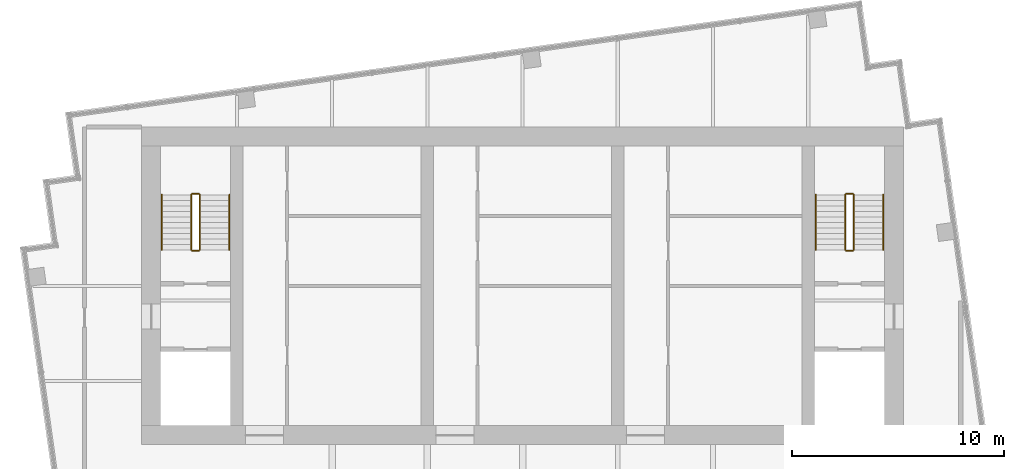
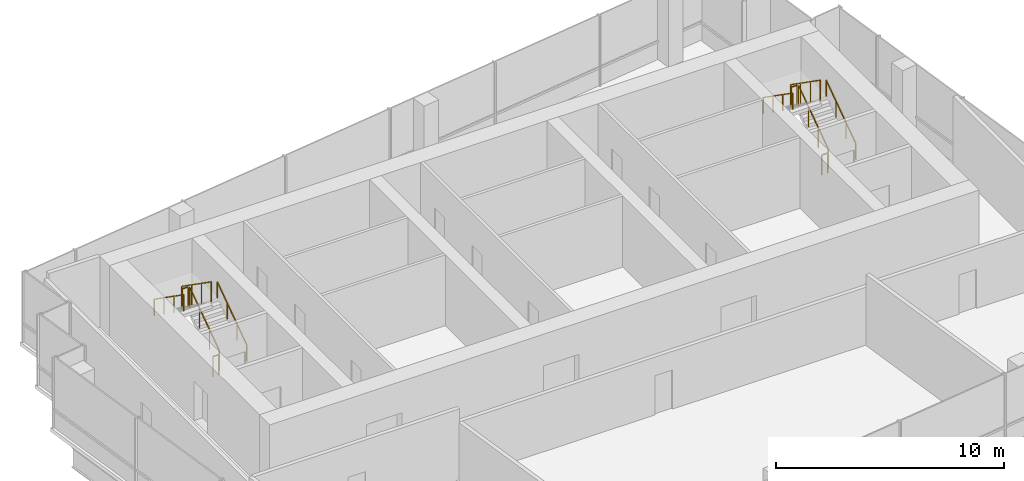
# One storey, part 9 of 9: 12 railings.
"""IFC4 building model written with IfcOpenShell, lengths in metres."""

import ifcopenshell
import ifcopenshell.guid

model = None  # the IFC model being written
_history = None  # IfcOwnerHistory: only IFC2X3 demands one
_inside = {}  # id of a spatial element -> (the spatial element, [elements in it])
_under = {}  # id of a project, library or spatial element -> (it, [spatial elements below it])
_declared = {}  # id of a project -> (the project, [libraries it declares])
_typed = {}  # id of a type object -> (the type object, [elements of that type])
_made_of = {}  # id of a material, layer set ... -> (it, [elements and type objects made of it])


def new_model(schema):
    """Start an empty IFC model of exactly this schema.

    Asked for "IFC4X3", IfcOpenShell would pick the latest addendum, in which some entities
    have other attributes; the version numbers below select the first issue.
    IFC2X3 requires an IfcOwnerHistory on every rooted entity: one is made here for all.
    """
    global model, _history
    if schema == "IFC4X3":
        model = ifcopenshell.file(schema_version=(4, 3, 0, 0))
    else:
        model = ifcopenshell.file(schema=schema)
    _inside.clear()
    _under.clear()
    _declared.clear()
    _typed.clear()
    _made_of.clear()
    _history = None
    if model.schema == "IFC2X3":
        org = make("IfcOrganization", Name="unknown")
        user = make(
            "IfcPersonAndOrganization",
            ThePerson=make("IfcPerson", FamilyName="unknown"),
            TheOrganization=org,
        )
        app = make(
            "IfcApplication",
            ApplicationDeveloper=org,
            Version="unknown",
            ApplicationFullName="unknown",
            ApplicationIdentifier="unknown",
        )
        _history = make(
            "IfcOwnerHistory",
            OwningUser=user,
            OwningApplication=app,
            ChangeAction="ADDED",
            CreationDate=0,
        )
    return model


def make(cls, **values):
    """One entity of the class cls with the attributes given. An attribute that is None is left unset."""
    return model.create_entity(
        cls, **{name: value for name, value in values.items() if value is not None}
    )


def rooted(cls, **values):
    """An entity with a GlobalId (a new one), such as an element, a storey or a relation."""
    return make(cls, GlobalId=ifcopenshell.guid.new(), OwnerHistory=_history, **values)


def si_unit(unit_type, name, prefix=None):
    """IfcSIUnit, for example si_unit("LENGTHUNIT", "METRE", prefix="MILLI")."""
    return make("IfcSIUnit", UnitType=unit_type, Prefix=prefix, Name=name)


def assignment(units):
    """IfcUnitAssignment: the units of a project."""
    return None if units is None else make("IfcUnitAssignment", Units=units)


def point(xyz):
    """IfcCartesianPoint."""
    return None if xyz is None else make("IfcCartesianPoint", Coordinates=xyz)


def direction(xyz):
    """IfcDirection."""
    return None if xyz is None else make("IfcDirection", DirectionRatios=xyz)


def frame(location, z_axis=None, x_axis=None):
    """IfcAxis2Placement3D, a coordinate frame: its origin and axes. An axis left out is left unset."""
    return make(
        "IfcAxis2Placement3D",
        Location=point(location),
        Axis=direction(z_axis),
        RefDirection=direction(x_axis),
    )


def frame_2d(location, x_axis=None):
    """IfcAxis2Placement2D, a coordinate frame in the plane: its origin and x axis."""
    return make(
        "IfcAxis2Placement2D", Location=point(location), RefDirection=direction(x_axis)
    )


def origin():
    """The frame at (0, 0, 0) with its axes left unset."""
    return frame((0.0, 0.0, 0.0))


def origin_2d():
    """The frame at (0, 0) in the plane with its x axis left unset."""
    return frame_2d((0.0, 0.0))


def place(relative_to, where):
    """IfcLocalPlacement: puts the frame where relative to a parent placement (None: the world)."""
    return make(
        "IfcLocalPlacement", PlacementRelTo=relative_to, RelativePlacement=where
    )


def context(
    kind, dimensions, precision=None, world=None, true_north=None, identifier=None
):
    """IfcGeometricRepresentationContext, for example the 3D "Model" context."""
    return make(
        "IfcGeometricRepresentationContext",
        ContextIdentifier=identifier,
        ContextType=kind,
        CoordinateSpaceDimension=dimensions,
        Precision=precision,
        WorldCoordinateSystem=world,
        TrueNorth=true_north,
    )


def subcontext(parent, identifier, kind, view, scale=None):
    """IfcGeometricRepresentationSubContext, for example "Body" below "Model"."""
    return make(
        "IfcGeometricRepresentationSubContext",
        ContextIdentifier=identifier,
        ContextType=kind,
        ParentContext=parent,
        TargetScale=scale,
        TargetView=view,
    )


def project(units=None, contexts=None):
    """IfcProject with its units and contexts."""
    return rooted(
        "IfcProject",
        Name="project",
        RepresentationContexts=contexts,
        UnitsInContext=assignment(units),
    )


def spatial(cls, under=None, at=None, **own):
    """A site, building, storey or space (cls), placed at a placement, below another one or the project."""
    s = rooted(cls, ObjectPlacement=at, **own)
    if under is not None:
        _under.setdefault(under.id(), (under, []))[1].append(s)
    return s


def profile(cls, at=None, kind="AREA", **sizes):
    """A parametric profile (cls). Its sizes go by their IFC names, for example OverallWidth=200.0."""
    return make(cls, ProfileType=kind, Position=at, **sizes)


def rectangle(**sizes):
    """IfcRectangleProfileDef."""
    return profile("IfcRectangleProfileDef", **sizes)


def extrude(swept, where, along, depth):
    """IfcExtrudedAreaSolid: the profile swept, set in the frame where, extruded along a direction by depth."""
    return make(
        "IfcExtrudedAreaSolid",
        SweptArea=swept,
        Position=where,
        ExtrudedDirection=direction(along),
        Depth=depth,
    )


def shape(context_of_items, identifier, shape_type, items):
    """IfcShapeRepresentation: the items that make up one representation, for example the "Body"."""
    return make(
        "IfcShapeRepresentation",
        ContextOfItems=context_of_items,
        RepresentationIdentifier=identifier,
        RepresentationType=shape_type,
        Items=items,
    )


def material(Name=None, Category=None):
    """IfcMaterial."""
    return make("IfcMaterial", Name=Name, Category=Category)


def made_of(thing, what):
    """Note that an element or type object is made of a material, layer set ...; save() writes the relation."""
    if what is not None:
        _made_of.setdefault(what.id(), (what, []))[1].append(thing)
    return thing


def type_object(cls, material=None, **own):
    """A type object (cls), such as IfcWallType, which elements share."""
    return made_of(rooted(cls, **own), material)


def element(
    cls,
    number,
    at=None,
    inside=None,
    cuts=None,
    type_object=None,
    material=None,
    context=None,
    identifier="Body",
    shape_type=None,
    held_by="IfcProductDefinitionShape",
    body=None,
    shapes=None,
    **own,
):
    """One element of the class cls, such as IfcWall. Its Tag is "e" and its number.

    at: its placement. inside: the storey or other place that contains it. cuts: it is an
    opening in that element (IfcRelVoidsElement). A single representation is given by context,
    identifier, shape_type and body (its items); several are given by shapes. held_by: the class
    of the entity that holds the representations. save() writes the other relations.
    """
    e = rooted(cls, Tag="e%d" % number, ObjectPlacement=at, **own)
    if body is not None:
        shapes = [shape(context, identifier, shape_type, body)]
    if shapes is not None:
        e.Representation = make(held_by, Representations=shapes)
    if inside is not None:
        _inside.setdefault(inside.id(), (inside, []))[1].append(e)
    if cuts is not None:
        rooted(
            "IfcRelVoidsElement", RelatingBuildingElement=cuts, RelatedOpeningElement=e
        )
    if type_object is not None:
        _typed.setdefault(type_object.id(), (type_object, []))[1].append(e)
    return made_of(e, material)


def aggregate(whole, parts):
    """IfcRelAggregates: a whole, such as a stair, and the parts it consists of."""
    return rooted("IfcRelAggregates", RelatingObject=whole, RelatedObjects=parts)


def save(model, path):
    """Write the relations noted so far, then the file.

    IfcRelAggregates (storeys below a building ...), IfcRelContainedInSpatialStructure (elements
    in a storey), IfcRelDefinesByType, IfcRelAssociatesMaterial and IfcRelDeclares: one each for
    every whole, place, type object, material and project.
    """
    for whole, parts in _under.values():
        aggregate(whole, parts)
    for where, things in _inside.values():
        rooted(
            "IfcRelContainedInSpatialStructure",
            RelatedElements=things,
            RelatingStructure=where,
        )
    for kind, things in _typed.values():
        rooted("IfcRelDefinesByType", RelatedObjects=things, RelatingType=kind)
    for what, things in _made_of.values():
        rooted("IfcRelAssociatesMaterial", RelatedObjects=things, RelatingMaterial=what)
    for by, libraries in _declared.values():
        rooted("IfcRelDeclares", RelatingContext=by, RelatedDefinitions=libraries)
    model.write(path)


model = new_model("IFC4")

# Units and contexts
model_context = context("Model", 3, precision=1e-05, world=origin(), true_north=direction((0.0, 1.0)))
body_context = subcontext(model_context, "Body", "Model", "MODEL_VIEW")
ifc_project = project(units=[si_unit("LENGTHUNIT", "METRE"), si_unit("AREAUNIT", "SQUARE_METRE"), si_unit("VOLUMEUNIT", "CUBIC_METRE"), si_unit("PLANEANGLEUNIT", "RADIAN"), si_unit("MASSUNIT", "GRAM", prefix="KILO")], contexts=[model_context])

# Site, building, storey
site_placement = place(None, origin())
site = spatial("IfcSite", under=ifc_project, at=site_placement, CompositionType="ELEMENT")
building_placement = place(site_placement, origin())
building = spatial("IfcBuilding", under=site, at=building_placement, Name="Rattan Terrace Tower", CompositionType="ELEMENT")
storey_placement = place(building_placement, frame((0.0, 0.0, 304.300048828125)))
storey = spatial("IfcBuildingStorey", under=building, at=storey_placement, Name="C04", CompositionType="ELEMENT", Elevation=304.300048828125)

# Railings
ifc_material_1 = material(Name="Powder-coated steel guard", Category="steel")
railing_type_1 = type_object("IfcRailingType", Name="Core stair guard", PredefinedType="GUARDRAIL", material=ifc_material_1)
railing_1_placement = place(storey_placement, frame((-15.25, 1.699951171875, 0.181884765625)))
element("IfcRailing", 1, at=railing_1_placement, inside=storey, type_object=railing_type_1, Name="C04 S1 stair guard 1", PredefinedType="GUARDRAIL", context=body_context, shape_type="SweptSolid", body=[
    extrude(rectangle(XDim=0.048095703125, YDim=0.048095703125, at=origin_2d()), frame((0.0, 0.0, 1.076171875), z_axis=(0.0, 0.819521025635, 0.573049115296), x_axis=(-1.0, 0.0, 0.0)), (0.0, 0.0, 1.0), 3.172607421875),
    extrude(rectangle(XDim=0.0419921875, YDim=0.0419921875, at=origin_2d()), origin(), (0.0, 0.0, 1.0), 1.052001953125),
    extrude(rectangle(XDim=0.0419921875, YDim=0.0419921875, at=origin_2d()), frame((0.0, 0.86669921875, 0.60595703125)), (0.0, 0.0, 1.0), 1.052001953125),
    extrude(rectangle(XDim=0.0419921875, YDim=0.0419921875, at=origin_2d()), frame((0.0, 1.7333984375, 1.212158203125)), (0.0, 0.0, 1.0), 1.052001953125),
    extrude(rectangle(XDim=0.0419921875, YDim=0.0419921875, at=origin_2d()), frame((0.0, 2.60009765625, 1.818115234375)), (0.0, 0.0, 1.0), 1.052001953125),
])
railing_2_placement = place(storey_placement, frame((-15.300048828125, 4.35009765625, 2.0)))
element("IfcRailing", 2, at=railing_2_placement, inside=storey, type_object=railing_type_1, Name="C04 S1 stair guard 2", PredefinedType="GUARDRAIL", context=body_context, shape_type="SweptSolid", body=[
    extrude(rectangle(XDim=0.048095703125, YDim=0.048095703125, at=origin_2d()), frame((0.0, 0.0, 1.076171875), z_axis=(-1.0, 0.0, 0.0), x_axis=(0.0, -1.0, 0.0)), (0.0, 0.0, 1.0), 0.300048828125),
    extrude(rectangle(XDim=0.0419921875, YDim=0.0419921875, at=origin_2d()), origin(), (0.0, 0.0, 1.0), 1.052001953125),
    extrude(rectangle(XDim=0.0419921875, YDim=0.0419921875, at=origin_2d()), frame((-0.300048828125, 0.0, 0.0)), (0.0, 0.0, 1.0), 1.052001953125),
])
railing_3_placement = place(storey_placement, frame((-15.64990234375, 4.300048828125, 2.181884765625)))
element("IfcRailing", 3, at=railing_3_placement, inside=storey, type_object=railing_type_1, Name="C04 S1 stair guard 3", PredefinedType="GUARDRAIL", context=body_context, shape_type="SweptSolid", body=[
    extrude(rectangle(XDim=0.048095703125, YDim=0.048095703125, at=origin_2d()), frame((0.0, 0.0, 1.076171875), z_axis=(0.0, -0.819521025635, 0.573049115296), x_axis=(1.0, 0.0, 0.0)), (0.0, 0.0, 1.0), 3.172607421875),
    extrude(rectangle(XDim=0.0419921875, YDim=0.0419921875, at=origin_2d()), origin(), (0.0, 0.0, 1.0), 1.052001953125),
    extrude(rectangle(XDim=0.0419921875, YDim=0.0419921875, at=origin_2d()), frame((0.0, -0.86669921875, 0.60595703125)), (0.0, 0.0, 1.0), 1.052001953125),
    extrude(rectangle(XDim=0.0419921875, YDim=0.0419921875, at=origin_2d()), frame((0.0, -1.7333984375, 1.212158203125)), (0.0, 0.0, 1.0), 1.052001953125),
    extrude(rectangle(XDim=0.0419921875, YDim=0.0419921875, at=origin_2d()), frame((0.0, -2.60009765625, 1.818115234375)), (0.0, 0.0, 1.0), 1.052001953125),
])
railing_4_placement = place(storey_placement, frame((-15.300048828125, 1.64990234375, 0.0)))
element("IfcRailing", 4, at=railing_4_placement, inside=storey, type_object=railing_type_1, Name="C04 S1 stair guard 4", PredefinedType="GUARDRAIL", context=body_context, shape_type="SweptSolid", body=[
    extrude(rectangle(XDim=0.048095703125, YDim=0.048095703125, at=origin_2d()), frame((0.0, 0.0, 1.076171875), z_axis=(-1.0, 0.0, 0.0), x_axis=(0.0, -1.0, 0.0)), (0.0, 0.0, 1.0), 0.300048828125),
    extrude(rectangle(XDim=0.0419921875, YDim=0.0419921875, at=origin_2d()), origin(), (0.0, 0.0, 1.0), 1.052001953125),
    extrude(rectangle(XDim=0.0419921875, YDim=0.0419921875, at=origin_2d()), frame((-0.300048828125, 0.0, 0.0)), (0.0, 0.0, 1.0), 1.052001953125),
])
railing_5_placement = place(storey_placement, frame((15.64990234375, 1.699951171875, 0.181884765625)))
element("IfcRailing", 5, at=railing_5_placement, inside=storey, type_object=railing_type_1, Name="C04 S2 stair guard 1", PredefinedType="GUARDRAIL", context=body_context, shape_type="SweptSolid", body=[
    extrude(rectangle(XDim=0.048095703125, YDim=0.048095703125, at=origin_2d()), frame((0.0, 0.0, 1.076171875), z_axis=(0.0, 0.819521025635, 0.573049115296), x_axis=(-1.0, 0.0, 0.0)), (0.0, 0.0, 1.0), 3.172607421875),
    extrude(rectangle(XDim=0.0419921875, YDim=0.0419921875, at=origin_2d()), origin(), (0.0, 0.0, 1.0), 1.052001953125),
    extrude(rectangle(XDim=0.0419921875, YDim=0.0419921875, at=origin_2d()), frame((0.0, 0.86669921875, 0.60595703125)), (0.0, 0.0, 1.0), 1.052001953125),
    extrude(rectangle(XDim=0.0419921875, YDim=0.0419921875, at=origin_2d()), frame((0.0, 1.7333984375, 1.212158203125)), (0.0, 0.0, 1.0), 1.052001953125),
    extrude(rectangle(XDim=0.0419921875, YDim=0.0419921875, at=origin_2d()), frame((0.0, 2.60009765625, 1.818115234375)), (0.0, 0.0, 1.0), 1.052001953125),
])
railing_6_placement = place(storey_placement, frame((15.60009765625, 4.35009765625, 2.0)))
element("IfcRailing", 6, at=railing_6_placement, inside=storey, type_object=railing_type_1, Name="C04 S2 stair guard 2", PredefinedType="GUARDRAIL", context=body_context, shape_type="SweptSolid", body=[
    extrude(rectangle(XDim=0.048095703125, YDim=0.048095703125, at=origin_2d()), frame((0.0, 0.0, 1.076171875), z_axis=(-1.0, 0.0, 0.0), x_axis=(0.0, -1.0, 0.0)), (0.0, 0.0, 1.0), 0.300048828125),
    extrude(rectangle(XDim=0.0419921875, YDim=0.0419921875, at=origin_2d()), origin(), (0.0, 0.0, 1.0), 1.052001953125),
    extrude(rectangle(XDim=0.0419921875, YDim=0.0419921875, at=origin_2d()), frame((-0.300048828125, 0.0, 0.0)), (0.0, 0.0, 1.0), 1.052001953125),
])
railing_7_placement = place(storey_placement, frame((15.25, 4.300048828125, 2.181884765625)))
element("IfcRailing", 7, at=railing_7_placement, inside=storey, type_object=railing_type_1, Name="C04 S2 stair guard 3", PredefinedType="GUARDRAIL", context=body_context, shape_type="SweptSolid", body=[
    extrude(rectangle(XDim=0.048095703125, YDim=0.048095703125, at=origin_2d()), frame((0.0, 0.0, 1.076171875), z_axis=(0.0, -0.819521025635, 0.573049115296), x_axis=(1.0, 0.0, 0.0)), (0.0, 0.0, 1.0), 3.172607421875),
    extrude(rectangle(XDim=0.0419921875, YDim=0.0419921875, at=origin_2d()), origin(), (0.0, 0.0, 1.0), 1.052001953125),
    extrude(rectangle(XDim=0.0419921875, YDim=0.0419921875, at=origin_2d()), frame((0.0, -0.86669921875, 0.60595703125)), (0.0, 0.0, 1.0), 1.052001953125),
    extrude(rectangle(XDim=0.0419921875, YDim=0.0419921875, at=origin_2d()), frame((0.0, -1.7333984375, 1.212158203125)), (0.0, 0.0, 1.0), 1.052001953125),
    extrude(rectangle(XDim=0.0419921875, YDim=0.0419921875, at=origin_2d()), frame((0.0, -2.60009765625, 1.818115234375)), (0.0, 0.0, 1.0), 1.052001953125),
])
railing_8_placement = place(storey_placement, frame((15.60009765625, 1.64990234375, 0.0)))
element("IfcRailing", 8, at=railing_8_placement, inside=storey, type_object=railing_type_1, Name="C04 S2 stair guard 4", PredefinedType="GUARDRAIL", context=body_context, shape_type="SweptSolid", body=[
    extrude(rectangle(XDim=0.048095703125, YDim=0.048095703125, at=origin_2d()), frame((0.0, 0.0, 1.076171875), z_axis=(-1.0, 0.0, 0.0), x_axis=(0.0, -1.0, 0.0)), (0.0, 0.0, 1.0), 0.300048828125),
    extrude(rectangle(XDim=0.0419921875, YDim=0.0419921875, at=origin_2d()), origin(), (0.0, 0.0, 1.0), 1.052001953125),
    extrude(rectangle(XDim=0.0419921875, YDim=0.0419921875, at=origin_2d()), frame((-0.300048828125, 0.0, 0.0)), (0.0, 0.0, 1.0), 1.052001953125),
])
ifc_material_2 = material(Name="Powder-coated steel handrail", Category="steel")
railing_type_2 = type_object("IfcRailingType", Name="Core stair handrail", PredefinedType="HANDRAIL", material=ifc_material_2)
railing_9_placement = place(storey_placement, frame((-13.85009765625, 1.699951171875, 0.181884765625)))
element("IfcRailing", 9, at=railing_9_placement, inside=storey, type_object=railing_type_2, Name="C04 S1 stair handrail 1", PredefinedType="HANDRAIL", context=body_context, shape_type="SweptSolid", body=[
    extrude(rectangle(XDim=0.048095703125, YDim=0.048095703125, at=origin_2d()), frame((0.0, 0.0, 0.8759765625), z_axis=(0.0, 0.819521025635, 0.573049115296), x_axis=(-1.0, 0.0, 0.0)), (0.0, 0.0, 1.0), 3.172607421875),
    extrude(rectangle(XDim=0.0419921875, YDim=0.0419921875, at=origin_2d()), origin(), (0.0, 0.0, 1.0), 0.851806640625),
    extrude(rectangle(XDim=0.0419921875, YDim=0.0419921875, at=origin_2d()), frame((0.0, 0.86669921875, 0.60595703125)), (0.0, 0.0, 1.0), 0.851806640625),
    extrude(rectangle(XDim=0.0419921875, YDim=0.0419921875, at=origin_2d()), frame((0.0, 1.7333984375, 1.212158203125)), (0.0, 0.0, 1.0), 0.851806640625),
    extrude(rectangle(XDim=0.0419921875, YDim=0.0419921875, at=origin_2d()), frame((0.0, 2.60009765625, 1.818115234375)), (0.0, 0.0, 1.0), 0.851806640625),
])
railing_10_placement = place(storey_placement, frame((-17.050048828125, 4.300048828125, 2.181884765625)))
element("IfcRailing", 10, at=railing_10_placement, inside=storey, type_object=railing_type_2, Name="C04 S1 stair handrail 2", PredefinedType="HANDRAIL", context=body_context, shape_type="SweptSolid", body=[
    extrude(rectangle(XDim=0.048095703125, YDim=0.048095703125, at=origin_2d()), frame((0.0, 0.0, 0.8759765625), z_axis=(0.0, -0.819521025635, 0.573049115296), x_axis=(1.0, 0.0, 0.0)), (0.0, 0.0, 1.0), 3.172607421875),
    extrude(rectangle(XDim=0.0419921875, YDim=0.0419921875, at=origin_2d()), origin(), (0.0, 0.0, 1.0), 0.851806640625),
    extrude(rectangle(XDim=0.0419921875, YDim=0.0419921875, at=origin_2d()), frame((0.0, -0.86669921875, 0.60595703125)), (0.0, 0.0, 1.0), 0.851806640625),
    extrude(rectangle(XDim=0.0419921875, YDim=0.0419921875, at=origin_2d()), frame((0.0, -1.7333984375, 1.212158203125)), (0.0, 0.0, 1.0), 0.851806640625),
    extrude(rectangle(XDim=0.0419921875, YDim=0.0419921875, at=origin_2d()), frame((0.0, -2.60009765625, 1.818115234375)), (0.0, 0.0, 1.0), 0.851806640625),
])
railing_11_placement = place(storey_placement, frame((17.050048828125, 1.699951171875, 0.181884765625)))
element("IfcRailing", 11, at=railing_11_placement, inside=storey, type_object=railing_type_2, Name="C04 S2 stair handrail 1", PredefinedType="HANDRAIL", context=body_context, shape_type="SweptSolid", body=[
    extrude(rectangle(XDim=0.048095703125, YDim=0.048095703125, at=origin_2d()), frame((0.0, 0.0, 0.8759765625), z_axis=(0.0, 0.819521025635, 0.573049115296), x_axis=(-1.0, 0.0, 0.0)), (0.0, 0.0, 1.0), 3.172607421875),
    extrude(rectangle(XDim=0.0419921875, YDim=0.0419921875, at=origin_2d()), origin(), (0.0, 0.0, 1.0), 0.851806640625),
    extrude(rectangle(XDim=0.0419921875, YDim=0.0419921875, at=origin_2d()), frame((0.0, 0.86669921875, 0.60595703125)), (0.0, 0.0, 1.0), 0.851806640625),
    extrude(rectangle(XDim=0.0419921875, YDim=0.0419921875, at=origin_2d()), frame((0.0, 1.7333984375, 1.212158203125)), (0.0, 0.0, 1.0), 0.851806640625),
    extrude(rectangle(XDim=0.0419921875, YDim=0.0419921875, at=origin_2d()), frame((0.0, 2.60009765625, 1.818115234375)), (0.0, 0.0, 1.0), 0.851806640625),
])
railing_12_placement = place(storey_placement, frame((13.85009765625, 4.300048828125, 2.181884765625)))
element("IfcRailing", 12, at=railing_12_placement, inside=storey, type_object=railing_type_2, Name="C04 S2 stair handrail 2", PredefinedType="HANDRAIL", context=body_context, shape_type="SweptSolid", body=[
    extrude(rectangle(XDim=0.048095703125, YDim=0.048095703125, at=origin_2d()), frame((0.0, 0.0, 0.8759765625), z_axis=(0.0, -0.819521025635, 0.573049115296), x_axis=(1.0, 0.0, 0.0)), (0.0, 0.0, 1.0), 3.172607421875),
    extrude(rectangle(XDim=0.0419921875, YDim=0.0419921875, at=origin_2d()), origin(), (0.0, 0.0, 1.0), 0.851806640625),
    extrude(rectangle(XDim=0.0419921875, YDim=0.0419921875, at=origin_2d()), frame((0.0, -0.86669921875, 0.60595703125)), (0.0, 0.0, 1.0), 0.851806640625),
    extrude(rectangle(XDim=0.0419921875, YDim=0.0419921875, at=origin_2d()), frame((0.0, -1.7333984375, 1.212158203125)), (0.0, 0.0, 1.0), 0.851806640625),
    extrude(rectangle(XDim=0.0419921875, YDim=0.0419921875, at=origin_2d()), frame((0.0, -2.60009765625, 1.818115234375)), (0.0, 0.0, 1.0), 0.851806640625),
])

save(model, "model.ifc")
